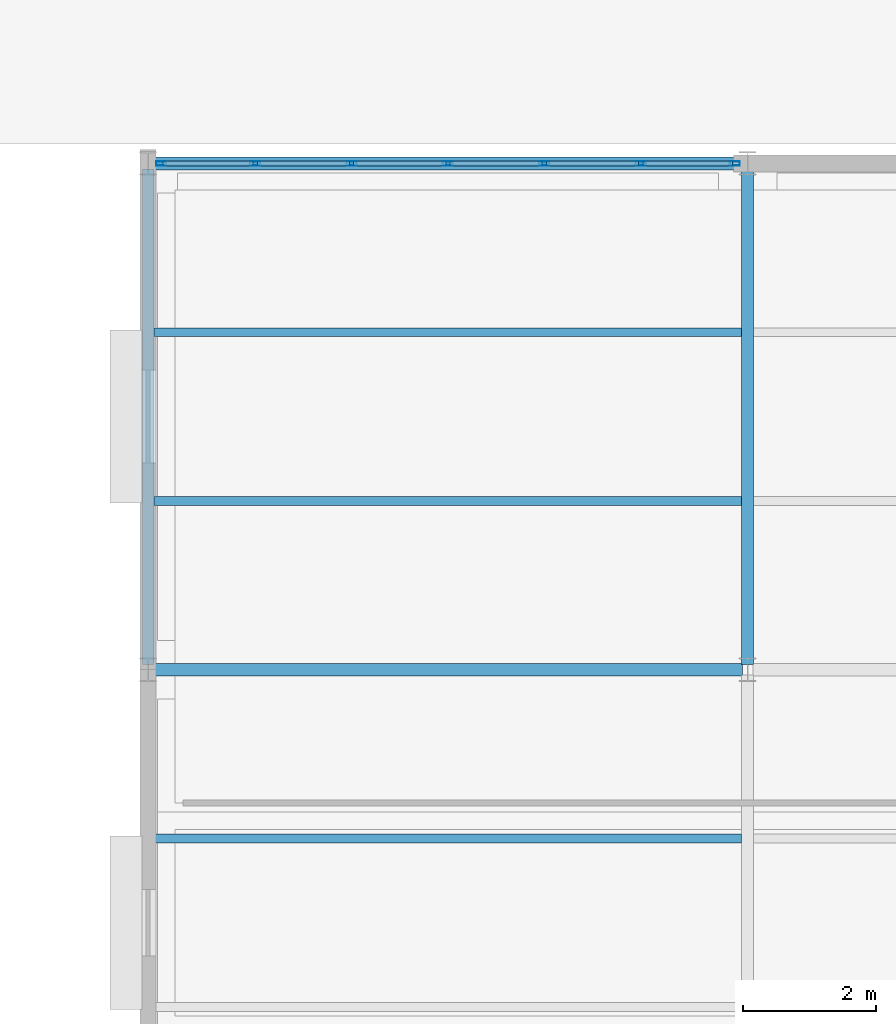
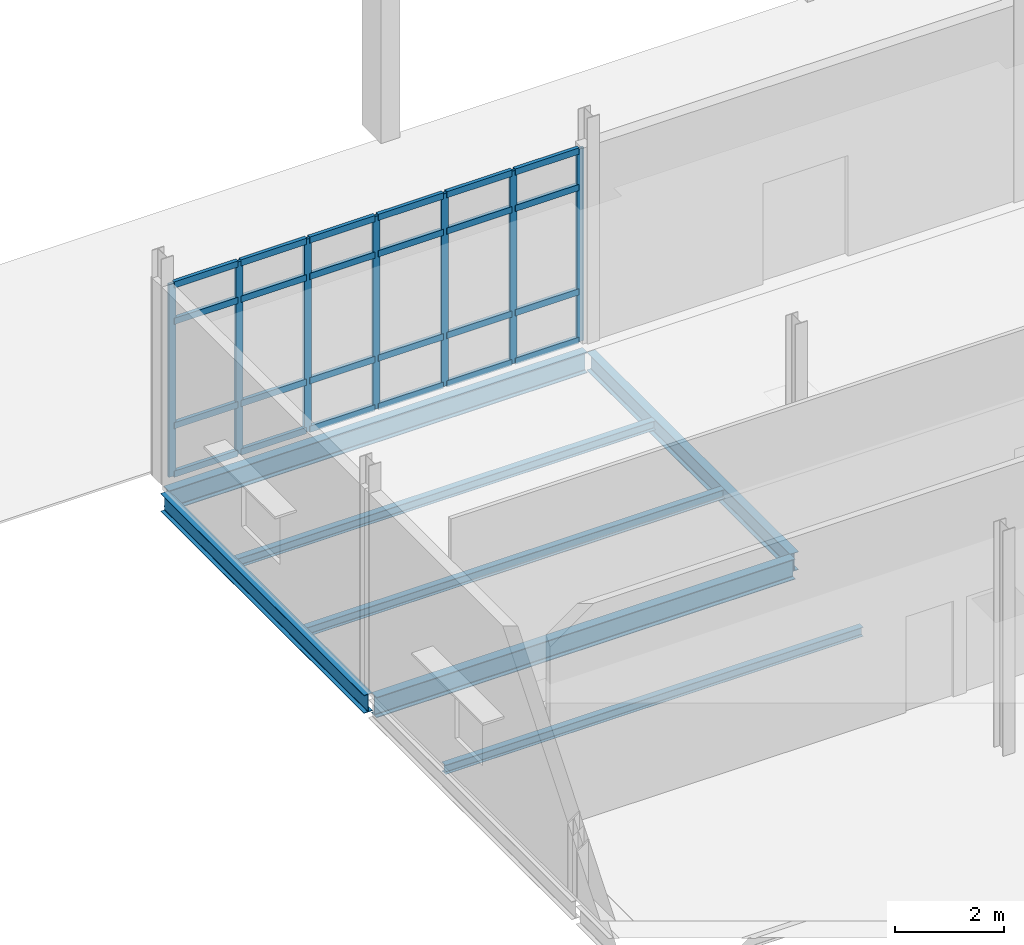
# One storey, part 75 of 161: 31 members, 7 beams, 1 element without a shape of its own.
"""IFC4 building model written with IfcOpenShell, lengths in metres."""

from ifc_helpers import new_model, si_unit, direction, frame, origin, origin_2d, place, context, subcontext, project, spatial, hollow_rectangle, i_section, extrude, material, material_profile, profile_set, type_object, element, aggregate, save


model = new_model("IFC4")

# Units and contexts
model_context = context("Model", 3, precision=1e-05, world=origin(), true_north=direction((0.0, 1.0)))
body_context = subcontext(model_context, "Body", "Model", "MODEL_VIEW")
ifc_project = project(units=[si_unit("LENGTHUNIT", "METRE"), si_unit("AREAUNIT", "SQUARE_METRE"), si_unit("VOLUMEUNIT", "CUBIC_METRE"), si_unit("PLANEANGLEUNIT", "RADIAN"), si_unit("MASSUNIT", "GRAM", prefix="KILO")], contexts=[model_context])

# Site, building, storey
site_placement = place(None, origin())
site = spatial("IfcSite", under=ifc_project, at=site_placement, CompositionType="ELEMENT")
building_placement = place(site_placement, origin())
building = spatial("IfcBuilding", under=site, at=building_placement, Name="Caisbarro Railhouse Central Library", CompositionType="ELEMENT")
storey_placement = place(building_placement, origin())
storey = spatial("IfcBuildingStorey", under=building, at=storey_placement, Name="L00", CompositionType="ELEMENT", Elevation=0.0)

# Beams
ifc_material_1 = material(Name="Steel ASTM A572 Grade 50", Category="steel")
ifc_material_profile_1 = material_profile(ifc_material_1, i_section(OverallWidth=0.18994140625, OverallDepth=0.45703125, WebThickness=0.009033203125, FlangeThickness=0.014404296875, FilletRadius=0.01806640625, at=origin_2d()), Name="W460X74.0")
ifc_profile_set_1 = profile_set([ifc_material_profile_1], Name="Steel ASTM A572 Grade 50")
beam_type_1 = type_object("IfcBeamType", Name="BM-G08", PredefinedType="BEAM", material=ifc_profile_set_1)
beam_1_placement = place(storey_placement, frame((54.080078125, 98.800048828125, -0.478515625), z_axis=(1.0, 0.0, 0.0), x_axis=(0.0, 1.0, 0.0)))
element("IfcBeam", 1, at=beam_1_placement, inside=storey, type_object=beam_type_1, Name="G08 beam L00 #623", PredefinedType="BEAM", context=body_context, shape_type="SweptSolid", body=[
    extrude(i_section(OverallWidth=0.18994140625, OverallDepth=0.45703125, WebThickness=0.009033203125, FlangeThickness=0.014404296875, FilletRadius=0.01806640625, at=origin_2d()), origin(), (0.0, 0.0, 1.0), 8.83984375),
])
ifc_material_profile_2 = material_profile(ifc_material_1, i_section(OverallWidth=0.177978515625, OverallDepth=0.406982421875, WebThickness=0.0078125, FlangeThickness=0.0126953125, FilletRadius=0.01611328125, at=origin_2d()), Name="W410X60.0")
ifc_profile_set_2 = profile_set([ifc_material_profile_2], Name="Steel ASTM A572 Grade 50")
beam_type_2 = type_object("IfcBeamType", Name="BM-G10", PredefinedType="BEAM", material=ifc_profile_set_2)
for number, where, z_axis, x_axis, name in (
    (2, (54.0, 98.8798828125, -0.45361328125), (0.0, 1.0, 0.0), (-1.0, 0.0, 0.0), "G10 beam L00 #635"),
    (3, (63.0, 98.8798828125, -0.45361328125), (0.0, 1.0, 0.0), (-1.0, 0.0, 0.0), "G10 beam L00 #638"),
):
    element("IfcBeam", number, at=place(storey_placement, frame(where, z_axis=z_axis, x_axis=x_axis)), inside=storey, type_object=beam_type_2, Name=name, PredefinedType="BEAM", context=body_context, shape_type="SweptSolid", body=[
        extrude(i_section(OverallWidth=0.177978515625, OverallDepth=0.406982421875, WebThickness=0.0078125, FlangeThickness=0.0126953125, FilletRadius=0.01611328125, at=origin_2d()), origin(), (0.0, 0.0, 1.0), 7.440185546875),
    ])
ifc_material_profile_3 = material_profile(ifc_material_1, i_section(OverallWidth=0.133056640625, OverallDepth=0.20703125, WebThickness=0.005859375, FlangeThickness=0.00830078125, FilletRadius=0.010009765625, at=origin_2d()), Name="W200X26.6")
ifc_profile_set_3 = profile_set([ifc_material_profile_3], Name="Steel ASTM A572 Grade 50")
beam_type_3 = type_object("IfcBeamType", Name="BM-J07", PredefinedType="JOIST", material=ifc_profile_set_3)
for number, where, z_axis, x_axis, name in (
    (4, (54.089111328125, 96.2666015625, -0.353515625), (1.0, 0.0, 0.0), (0.0, 1.0, 0.0), "J07 beam L00 #654"),
    (5, (54.089111328125, 101.333251953125, -0.353515625), (1.0, 0.0, 0.0), (0.0, 1.0, 0.0), "J07 beam L00 #655"),
    (6, (54.089111328125, 103.86669921875, -0.353515625), (1.0, 0.0, 0.0), (0.0, 1.0, 0.0), "J07 beam L00 #656"),
):
    element("IfcBeam", number, at=place(storey_placement, frame(where, z_axis=z_axis, x_axis=x_axis)), inside=storey, type_object=beam_type_3, Name=name, PredefinedType="JOIST", context=body_context, shape_type="SweptSolid", body=[
        extrude(i_section(OverallWidth=0.133056640625, OverallDepth=0.20703125, WebThickness=0.005859375, FlangeThickness=0.00830078125, FilletRadius=0.010009765625, at=origin_2d()), origin(), (0.0, 0.0, 1.0), 8.82177734375),
    ])
ifc_material_profile_4 = material_profile(ifc_material_1, i_section(OverallWidth=0.18994140625, OverallDepth=0.45703125, WebThickness=0.009033203125, FlangeThickness=0.014404296875, FilletRadius=0.01806640625, at=origin_2d()), Name="W460X74.0")
ifc_profile_set_4 = profile_set([ifc_material_profile_4], Name="Steel ASTM A572 Grade 50")
beam_type_4 = type_object("IfcBeamType", Name="BM-SP01", PredefinedType="SPANDREL", material=ifc_profile_set_4)
beam_2_placement = place(storey_placement, frame((54.080078125, 106.39990234375, -0.478515625), z_axis=(1.0, 0.0, 0.0), x_axis=(0.0, 1.0, 0.0)))
element("IfcBeam", 7, at=beam_2_placement, inside=storey, type_object=beam_type_4, Name="SP01 beam L00 #628", PredefinedType="SPANDREL", context=body_context, shape_type="SweptSolid", body=[
    extrude(i_section(OverallWidth=0.18994140625, OverallDepth=0.45703125, WebThickness=0.009033203125, FlangeThickness=0.014404296875, FilletRadius=0.01806640625, at=origin_2d()), origin(), (0.0, 0.0, 1.0), 8.83984375),
])

# Curtain wall, members
ifc_material_2 = material(Name="Anodised architectural aluminium", Category="aluminium")
curtain_wall_type = type_object("IfcCurtainWallType", Name="CW-CW03", PredefinedType="NOTDEFINED", material=ifc_material_2)
curtain_wall_placement = place(storey_placement, origin())
curtain_wall = element("IfcCurtainWall", 8, at=curtain_wall_placement, inside=storey, type_object=curtain_wall_type, Name="CW03 curtain wall L00 #167", PredefinedType="NOTDEFINED")
ifc_material_profile_5 = material_profile(ifc_material_2, hollow_rectangle(XDim=0.06494140625, YDim=0.14990234375, WallThickness=0.00390625, at=origin_2d()), Name="ALU-MUL-65X150")
ifc_profile_set_5 = profile_set([ifc_material_profile_5], Name="Anodised architectural aluminium")
member_type_1 = type_object("IfcMemberType", Name="CWM-M02", PredefinedType="MULLION", material=ifc_profile_set_5)
member_1_placement = place(storey_placement, frame((54.1923828125, 106.39990234375, 0.0), z_axis=(0.0, 0.0, 1.0), x_axis=(0.0, 1.0, 0.0)))
member_1 = element("IfcMember", 9, at=member_1_placement, type_object=member_type_1, Name="CW03 mullion 1", PredefinedType="MULLION", context=body_context, shape_type="SweptSolid", body=[
    extrude(hollow_rectangle(XDim=0.06494140625, YDim=0.14990234375, WallThickness=0.00390625, at=origin_2d()), origin(), (0.0, 0.0, 1.0), 4.300048828125),
])
member_2_placement = place(storey_placement, frame((55.606689453125, 106.39990234375, 0.0), z_axis=(0.0, 0.0, 1.0), x_axis=(0.0, 1.0, 0.0)))
member_2 = element("IfcMember", 10, at=member_2_placement, type_object=member_type_1, Name="CW03 mullion 2", PredefinedType="MULLION", context=body_context, shape_type="SweptSolid", body=[
    extrude(hollow_rectangle(XDim=0.06494140625, YDim=0.14990234375, WallThickness=0.00390625, at=origin_2d()), origin(), (0.0, 0.0, 1.0), 4.300048828125),
])
member_3_placement = place(storey_placement, frame((57.05322265625, 106.39990234375, 0.0), z_axis=(0.0, 0.0, 1.0), x_axis=(0.0, 1.0, 0.0)))
member_3 = element("IfcMember", 11, at=member_3_placement, type_object=member_type_1, Name="CW03 mullion 3", PredefinedType="MULLION", context=body_context, shape_type="SweptSolid", body=[
    extrude(hollow_rectangle(XDim=0.06494140625, YDim=0.14990234375, WallThickness=0.00390625, at=origin_2d()), origin(), (0.0, 0.0, 1.0), 4.300048828125),
])
member_4_placement = place(storey_placement, frame((58.5, 106.39990234375, 0.0), z_axis=(0.0, 0.0, 1.0), x_axis=(0.0, 1.0, 0.0)))
member_4 = element("IfcMember", 12, at=member_4_placement, type_object=member_type_1, Name="CW03 mullion 4", PredefinedType="MULLION", context=body_context, shape_type="SweptSolid", body=[
    extrude(hollow_rectangle(XDim=0.06494140625, YDim=0.14990234375, WallThickness=0.00390625, at=origin_2d()), origin(), (0.0, 0.0, 1.0), 4.300048828125),
])
member_5_placement = place(storey_placement, frame((59.94677734375, 106.39990234375, 0.0), z_axis=(0.0, 0.0, 1.0), x_axis=(0.0, 1.0, 0.0)))
member_5 = element("IfcMember", 13, at=member_5_placement, type_object=member_type_1, Name="CW03 mullion 5", PredefinedType="MULLION", context=body_context, shape_type="SweptSolid", body=[
    extrude(hollow_rectangle(XDim=0.06494140625, YDim=0.14990234375, WallThickness=0.00390625, at=origin_2d()), origin(), (0.0, 0.0, 1.0), 4.300048828125),
])
member_6_placement = place(storey_placement, frame((61.393310546875, 106.39990234375, 0.0), z_axis=(0.0, 0.0, 1.0), x_axis=(0.0, 1.0, 0.0)))
member_6 = element("IfcMember", 14, at=member_6_placement, type_object=member_type_1, Name="CW03 mullion 6", PredefinedType="MULLION", context=body_context, shape_type="SweptSolid", body=[
    extrude(hollow_rectangle(XDim=0.06494140625, YDim=0.14990234375, WallThickness=0.00390625, at=origin_2d()), origin(), (0.0, 0.0, 1.0), 4.300048828125),
])
member_7_placement = place(storey_placement, frame((62.8076171875, 106.39990234375, 0.0), z_axis=(0.0, 0.0, 1.0), x_axis=(0.0, 1.0, 0.0)))
member_7 = element("IfcMember", 15, at=member_7_placement, type_object=member_type_1, Name="CW03 mullion 7", PredefinedType="MULLION", context=body_context, shape_type="SweptSolid", body=[
    extrude(hollow_rectangle(XDim=0.06494140625, YDim=0.14990234375, WallThickness=0.00390625, at=origin_2d()), origin(), (0.0, 0.0, 1.0), 4.300048828125),
])
ifc_material_profile_6 = material_profile(ifc_material_2, hollow_rectangle(XDim=0.074951171875, YDim=0.139892578125, WallThickness=0.00390625, at=origin_2d()), Name="ALU-TRN-75X140")
ifc_profile_set_6 = profile_set([ifc_material_profile_6], Name="Anodised architectural aluminium")
member_type_2 = type_object("IfcMemberType", Name="CWT-T01", PredefinedType="USERDEFINED", material=ifc_profile_set_6)
member_8_placement = place(storey_placement, frame((54.22509765625, 106.39990234375, 0.03759765625), z_axis=(1.0, 0.0, 0.0), x_axis=(0.0, 1.0, 0.0)))
member_8 = element("IfcMember", 16, at=member_8_placement, type_object=member_type_2, Name="CW03 transom 1.1", ObjectType="TRANSOM", PredefinedType="USERDEFINED", context=body_context, shape_type="SweptSolid", body=[
    extrude(hollow_rectangle(XDim=0.074951171875, YDim=0.139892578125, WallThickness=0.00390625, at=origin_2d()), origin(), (0.0, 0.0, 1.0), 1.34912109375),
])
member_9_placement = place(storey_placement, frame((54.22509765625, 106.39990234375, 1.1201171875), z_axis=(1.0, 0.0, 0.0), x_axis=(0.0, 1.0, 0.0)))
member_9 = element("IfcMember", 17, at=member_9_placement, type_object=member_type_2, Name="CW03 transom 1.2", ObjectType="TRANSOM", PredefinedType="USERDEFINED", context=body_context, shape_type="SweptSolid", body=[
    extrude(hollow_rectangle(XDim=0.074951171875, YDim=0.139892578125, WallThickness=0.00390625, at=origin_2d()), origin(), (0.0, 0.0, 1.0), 1.34912109375),
])
member_10_placement = place(storey_placement, frame((54.22509765625, 106.39990234375, 3.449951171875), z_axis=(1.0, 0.0, 0.0), x_axis=(0.0, 1.0, 0.0)))
member_10 = element("IfcMember", 18, at=member_10_placement, type_object=member_type_2, Name="CW03 transom 1.3", ObjectType="TRANSOM", PredefinedType="USERDEFINED", context=body_context, shape_type="SweptSolid", body=[
    extrude(hollow_rectangle(XDim=0.074951171875, YDim=0.139892578125, WallThickness=0.00390625, at=origin_2d()), origin(), (0.0, 0.0, 1.0), 1.34912109375),
])
member_11_placement = place(storey_placement, frame((54.22509765625, 106.39990234375, 4.262451171875), z_axis=(1.0, 0.0, 0.0), x_axis=(0.0, 1.0, 0.0)))
member_11 = element("IfcMember", 19, at=member_11_placement, type_object=member_type_2, Name="CW03 transom 1.4", ObjectType="TRANSOM", PredefinedType="USERDEFINED", context=body_context, shape_type="SweptSolid", body=[
    extrude(hollow_rectangle(XDim=0.074951171875, YDim=0.139892578125, WallThickness=0.00390625, at=origin_2d()), origin(), (0.0, 0.0, 1.0), 1.34912109375),
])
member_12_placement = place(storey_placement, frame((55.63916015625, 106.39990234375, 0.03759765625), z_axis=(1.0, 0.0, 0.0), x_axis=(0.0, 1.0, 0.0)))
member_12 = element("IfcMember", 20, at=member_12_placement, type_object=member_type_2, Name="CW03 transom 2.1", ObjectType="TRANSOM", PredefinedType="USERDEFINED", context=body_context, shape_type="SweptSolid", body=[
    extrude(hollow_rectangle(XDim=0.074951171875, YDim=0.139892578125, WallThickness=0.00390625, at=origin_2d()), origin(), (0.0, 0.0, 1.0), 1.381591796875),
])
member_13_placement = place(storey_placement, frame((55.63916015625, 106.39990234375, 1.1201171875), z_axis=(1.0, 0.0, 0.0), x_axis=(0.0, 1.0, 0.0)))
member_13 = element("IfcMember", 21, at=member_13_placement, type_object=member_type_2, Name="CW03 transom 2.2", ObjectType="TRANSOM", PredefinedType="USERDEFINED", context=body_context, shape_type="SweptSolid", body=[
    extrude(hollow_rectangle(XDim=0.074951171875, YDim=0.139892578125, WallThickness=0.00390625, at=origin_2d()), origin(), (0.0, 0.0, 1.0), 1.381591796875),
])
member_14_placement = place(storey_placement, frame((55.63916015625, 106.39990234375, 3.449951171875), z_axis=(1.0, 0.0, 0.0), x_axis=(0.0, 1.0, 0.0)))
member_14 = element("IfcMember", 22, at=member_14_placement, type_object=member_type_2, Name="CW03 transom 2.3", ObjectType="TRANSOM", PredefinedType="USERDEFINED", context=body_context, shape_type="SweptSolid", body=[
    extrude(hollow_rectangle(XDim=0.074951171875, YDim=0.139892578125, WallThickness=0.00390625, at=origin_2d()), origin(), (0.0, 0.0, 1.0), 1.381591796875),
])
member_15_placement = place(storey_placement, frame((55.63916015625, 106.39990234375, 4.262451171875), z_axis=(1.0, 0.0, 0.0), x_axis=(0.0, 1.0, 0.0)))
member_15 = element("IfcMember", 23, at=member_15_placement, type_object=member_type_2, Name="CW03 transom 2.4", ObjectType="TRANSOM", PredefinedType="USERDEFINED", context=body_context, shape_type="SweptSolid", body=[
    extrude(hollow_rectangle(XDim=0.074951171875, YDim=0.139892578125, WallThickness=0.00390625, at=origin_2d()), origin(), (0.0, 0.0, 1.0), 1.381591796875),
])
member_16_placement = place(storey_placement, frame((57.0859375, 106.39990234375, 0.03759765625), z_axis=(1.0, 0.0, 0.0), x_axis=(0.0, 1.0, 0.0)))
member_16 = element("IfcMember", 24, at=member_16_placement, type_object=member_type_2, Name="CW03 transom 3.1", ObjectType="TRANSOM", PredefinedType="USERDEFINED", context=body_context, shape_type="SweptSolid", body=[
    extrude(hollow_rectangle(XDim=0.074951171875, YDim=0.139892578125, WallThickness=0.00390625, at=origin_2d()), origin(), (0.0, 0.0, 1.0), 1.381591796875),
])
member_17_placement = place(storey_placement, frame((57.0859375, 106.39990234375, 1.1201171875), z_axis=(1.0, 0.0, 0.0), x_axis=(0.0, 1.0, 0.0)))
member_17 = element("IfcMember", 25, at=member_17_placement, type_object=member_type_2, Name="CW03 transom 3.2", ObjectType="TRANSOM", PredefinedType="USERDEFINED", context=body_context, shape_type="SweptSolid", body=[
    extrude(hollow_rectangle(XDim=0.074951171875, YDim=0.139892578125, WallThickness=0.00390625, at=origin_2d()), origin(), (0.0, 0.0, 1.0), 1.381591796875),
])
member_18_placement = place(storey_placement, frame((57.0859375, 106.39990234375, 3.449951171875), z_axis=(1.0, 0.0, 0.0), x_axis=(0.0, 1.0, 0.0)))
member_18 = element("IfcMember", 26, at=member_18_placement, type_object=member_type_2, Name="CW03 transom 3.3", ObjectType="TRANSOM", PredefinedType="USERDEFINED", context=body_context, shape_type="SweptSolid", body=[
    extrude(hollow_rectangle(XDim=0.074951171875, YDim=0.139892578125, WallThickness=0.00390625, at=origin_2d()), origin(), (0.0, 0.0, 1.0), 1.381591796875),
])
member_19_placement = place(storey_placement, frame((57.0859375, 106.39990234375, 4.262451171875), z_axis=(1.0, 0.0, 0.0), x_axis=(0.0, 1.0, 0.0)))
member_19 = element("IfcMember", 27, at=member_19_placement, type_object=member_type_2, Name="CW03 transom 3.4", ObjectType="TRANSOM", PredefinedType="USERDEFINED", context=body_context, shape_type="SweptSolid", body=[
    extrude(hollow_rectangle(XDim=0.074951171875, YDim=0.139892578125, WallThickness=0.00390625, at=origin_2d()), origin(), (0.0, 0.0, 1.0), 1.381591796875),
])
member_20_placement = place(storey_placement, frame((58.532470703125, 106.39990234375, 0.03759765625), z_axis=(1.0, 0.0, 0.0), x_axis=(0.0, 1.0, 0.0)))
member_20 = element("IfcMember", 28, at=member_20_placement, type_object=member_type_2, Name="CW03 transom 4.1", ObjectType="TRANSOM", PredefinedType="USERDEFINED", context=body_context, shape_type="SweptSolid", body=[
    extrude(hollow_rectangle(XDim=0.074951171875, YDim=0.139892578125, WallThickness=0.00390625, at=origin_2d()), origin(), (0.0, 0.0, 1.0), 1.381591796875),
])
member_21_placement = place(storey_placement, frame((58.532470703125, 106.39990234375, 1.1201171875), z_axis=(1.0, 0.0, 0.0), x_axis=(0.0, 1.0, 0.0)))
member_21 = element("IfcMember", 29, at=member_21_placement, type_object=member_type_2, Name="CW03 transom 4.2", ObjectType="TRANSOM", PredefinedType="USERDEFINED", context=body_context, shape_type="SweptSolid", body=[
    extrude(hollow_rectangle(XDim=0.074951171875, YDim=0.139892578125, WallThickness=0.00390625, at=origin_2d()), origin(), (0.0, 0.0, 1.0), 1.381591796875),
])
member_22_placement = place(storey_placement, frame((58.532470703125, 106.39990234375, 3.449951171875), z_axis=(1.0, 0.0, 0.0), x_axis=(0.0, 1.0, 0.0)))
member_22 = element("IfcMember", 30, at=member_22_placement, type_object=member_type_2, Name="CW03 transom 4.3", ObjectType="TRANSOM", PredefinedType="USERDEFINED", context=body_context, shape_type="SweptSolid", body=[
    extrude(hollow_rectangle(XDim=0.074951171875, YDim=0.139892578125, WallThickness=0.00390625, at=origin_2d()), origin(), (0.0, 0.0, 1.0), 1.381591796875),
])
member_23_placement = place(storey_placement, frame((58.532470703125, 106.39990234375, 4.262451171875), z_axis=(1.0, 0.0, 0.0), x_axis=(0.0, 1.0, 0.0)))
member_23 = element("IfcMember", 31, at=member_23_placement, type_object=member_type_2, Name="CW03 transom 4.4", ObjectType="TRANSOM", PredefinedType="USERDEFINED", context=body_context, shape_type="SweptSolid", body=[
    extrude(hollow_rectangle(XDim=0.074951171875, YDim=0.139892578125, WallThickness=0.00390625, at=origin_2d()), origin(), (0.0, 0.0, 1.0), 1.381591796875),
])
member_24_placement = place(storey_placement, frame((59.979248046875, 106.39990234375, 0.03759765625), z_axis=(1.0, 0.0, 0.0), x_axis=(0.0, 1.0, 0.0)))
member_24 = element("IfcMember", 32, at=member_24_placement, type_object=member_type_2, Name="CW03 transom 5.1", ObjectType="TRANSOM", PredefinedType="USERDEFINED", context=body_context, shape_type="SweptSolid", body=[
    extrude(hollow_rectangle(XDim=0.074951171875, YDim=0.139892578125, WallThickness=0.00390625, at=origin_2d()), origin(), (0.0, 0.0, 1.0), 1.381591796875),
])
member_25_placement = place(storey_placement, frame((59.979248046875, 106.39990234375, 1.1201171875), z_axis=(1.0, 0.0, 0.0), x_axis=(0.0, 1.0, 0.0)))
member_25 = element("IfcMember", 33, at=member_25_placement, type_object=member_type_2, Name="CW03 transom 5.2", ObjectType="TRANSOM", PredefinedType="USERDEFINED", context=body_context, shape_type="SweptSolid", body=[
    extrude(hollow_rectangle(XDim=0.074951171875, YDim=0.139892578125, WallThickness=0.00390625, at=origin_2d()), origin(), (0.0, 0.0, 1.0), 1.381591796875),
])
member_26_placement = place(storey_placement, frame((59.979248046875, 106.39990234375, 3.449951171875), z_axis=(1.0, 0.0, 0.0), x_axis=(0.0, 1.0, 0.0)))
member_26 = element("IfcMember", 34, at=member_26_placement, type_object=member_type_2, Name="CW03 transom 5.3", ObjectType="TRANSOM", PredefinedType="USERDEFINED", context=body_context, shape_type="SweptSolid", body=[
    extrude(hollow_rectangle(XDim=0.074951171875, YDim=0.139892578125, WallThickness=0.00390625, at=origin_2d()), origin(), (0.0, 0.0, 1.0), 1.381591796875),
])
member_27_placement = place(storey_placement, frame((59.979248046875, 106.39990234375, 4.262451171875), z_axis=(1.0, 0.0, 0.0), x_axis=(0.0, 1.0, 0.0)))
member_27 = element("IfcMember", 35, at=member_27_placement, type_object=member_type_2, Name="CW03 transom 5.4", ObjectType="TRANSOM", PredefinedType="USERDEFINED", context=body_context, shape_type="SweptSolid", body=[
    extrude(hollow_rectangle(XDim=0.074951171875, YDim=0.139892578125, WallThickness=0.00390625, at=origin_2d()), origin(), (0.0, 0.0, 1.0), 1.381591796875),
])
member_28_placement = place(storey_placement, frame((61.42578125, 106.39990234375, 0.03759765625), z_axis=(1.0, 0.0, 0.0), x_axis=(0.0, 1.0, 0.0)))
member_28 = element("IfcMember", 36, at=member_28_placement, type_object=member_type_2, Name="CW03 transom 6.1", ObjectType="TRANSOM", PredefinedType="USERDEFINED", context=body_context, shape_type="SweptSolid", body=[
    extrude(hollow_rectangle(XDim=0.074951171875, YDim=0.139892578125, WallThickness=0.00390625, at=origin_2d()), origin(), (0.0, 0.0, 1.0), 1.34912109375),
])
member_29_placement = place(storey_placement, frame((61.42578125, 106.39990234375, 1.1201171875), z_axis=(1.0, 0.0, 0.0), x_axis=(0.0, 1.0, 0.0)))
member_29 = element("IfcMember", 37, at=member_29_placement, type_object=member_type_2, Name="CW03 transom 6.2", ObjectType="TRANSOM", PredefinedType="USERDEFINED", context=body_context, shape_type="SweptSolid", body=[
    extrude(hollow_rectangle(XDim=0.074951171875, YDim=0.139892578125, WallThickness=0.00390625, at=origin_2d()), origin(), (0.0, 0.0, 1.0), 1.34912109375),
])
member_30_placement = place(storey_placement, frame((61.42578125, 106.39990234375, 3.449951171875), z_axis=(1.0, 0.0, 0.0), x_axis=(0.0, 1.0, 0.0)))
member_30 = element("IfcMember", 38, at=member_30_placement, type_object=member_type_2, Name="CW03 transom 6.3", ObjectType="TRANSOM", PredefinedType="USERDEFINED", context=body_context, shape_type="SweptSolid", body=[
    extrude(hollow_rectangle(XDim=0.074951171875, YDim=0.139892578125, WallThickness=0.00390625, at=origin_2d()), origin(), (0.0, 0.0, 1.0), 1.34912109375),
])
member_31_placement = place(storey_placement, frame((61.42578125, 106.39990234375, 4.262451171875), z_axis=(1.0, 0.0, 0.0), x_axis=(0.0, 1.0, 0.0)))
member_31 = element("IfcMember", 39, at=member_31_placement, type_object=member_type_2, Name="CW03 transom 6.4", ObjectType="TRANSOM", PredefinedType="USERDEFINED", context=body_context, shape_type="SweptSolid", body=[
    extrude(hollow_rectangle(XDim=0.074951171875, YDim=0.139892578125, WallThickness=0.00390625, at=origin_2d()), origin(), (0.0, 0.0, 1.0), 1.34912109375),
])
aggregate(curtain_wall, [member_1, member_2, member_3, member_4, member_5, member_6, member_7, member_8, member_9, member_10, member_11, member_12, member_13, member_14, member_15, member_16, member_17, member_18, member_19, member_20, member_21, member_22, member_23, member_24, member_25, member_26, member_27, member_28, member_29, member_30, member_31])

save(model, "model.ifc")
